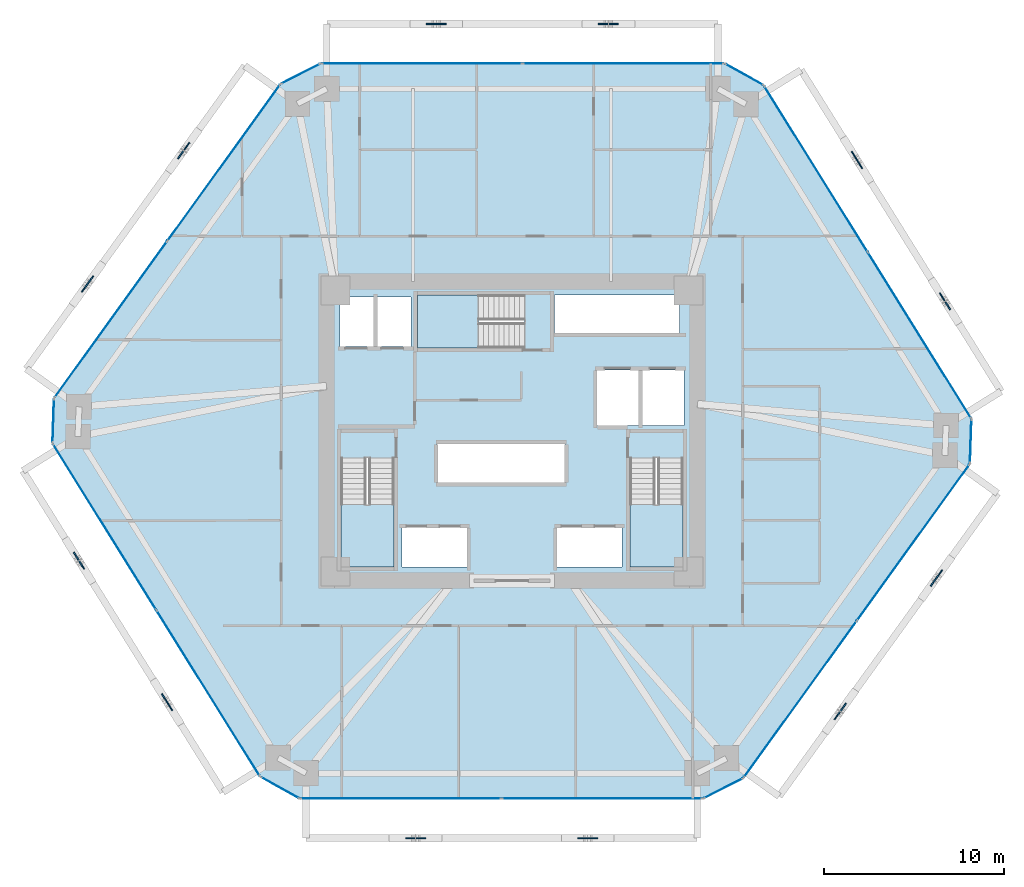
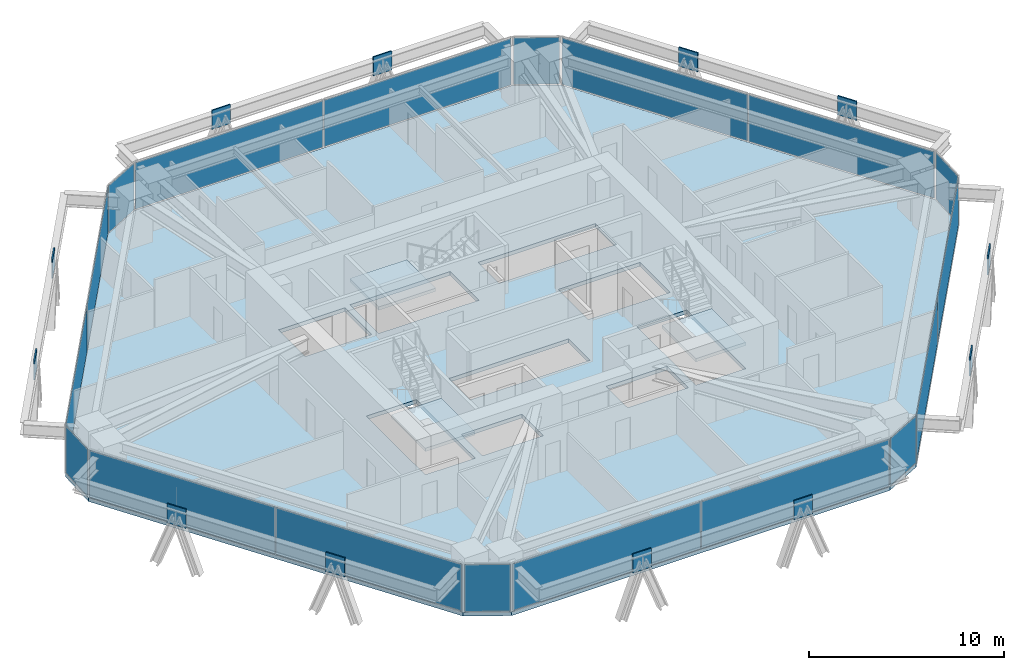
# One storey, part 10 of 17: 30 plates, 4 slabs, 15 elements without a shape of their own.
"""IFC4 building model written with IfcOpenShell, lengths in metres."""

from ifc_helpers import new_model, si_unit, direction, frame, origin, origin_2d, place, context, subcontext, project, spatial, polyline, rectangle, outline, extrude, source, transform, mapped, material, layer, layer_set, type_object, type_shapes, element, aggregate, save


model = new_model("IFC4")

# Units and contexts
model_context = context("Model", 3, precision=1e-05, world=origin(), true_north=direction((0.0, 1.0)))
body_context = subcontext(model_context, "Body", "Model", "MODEL_VIEW")
ifc_project = project(units=[si_unit("LENGTHUNIT", "METRE"), si_unit("AREAUNIT", "SQUARE_METRE"), si_unit("VOLUMEUNIT", "CUBIC_METRE"), si_unit("PLANEANGLEUNIT", "RADIAN"), si_unit("MASSUNIT", "GRAM", prefix="KILO")], contexts=[model_context])

# Site, building, storey
site_placement = place(None, origin())
site = spatial("IfcSite", under=ifc_project, at=site_placement, CompositionType="ELEMENT")
building_placement = place(site_placement, origin())
building = spatial("IfcBuilding", under=site, at=building_placement, Name="Durnholm Broadcast Tower", CompositionType="ELEMENT")
storey_placement = place(building_placement, frame((0.0, 0.0, 45.60009765625)))
storey = spatial("IfcBuildingStorey", under=building, at=storey_placement, Name="L10", CompositionType="ELEMENT", Elevation=45.60009765625)

# Slab
ifc_material_1 = material(Name="Concrete C50/60", Category="concrete")
ifc_layer_1 = layer(ifc_material_1, 0.239990234375)
ifc_layer_set_1 = layer_set([ifc_layer_1], Name="Concrete C50/60")
slab_type_1 = type_object("IfcSlabType", Name="SLAB-FLR-240", PredefinedType="FLOOR", material=ifc_layer_set_1)
slab_1_placement = place(storey_placement, frame((0.0, 0.0, -0.239990234375)))
element("IfcSlab", 1, at=slab_1_placement, inside=storey, type_object=slab_type_1, Name="L10 structural floor slab", PredefinedType="FLOOR", context=body_context, shape_type="SweptSolid", body=[
    extrude(outline(polyline([(-13.9794921875, -19.186279296875), (-11.793701171875, -20.39990234375), (10.6201171875, -20.39990234375), (12.845703125, -19.260986328125), (25.419921875, -1.820556640625), (25.50439453125, 0.677978515625), (13.9794921875, 19.186279296875), (11.793701171875, 20.39990234375), (-10.6201171875, 20.39990234375), (-12.845703125, 19.260986328125), (-25.419921875, 1.820556640625), (-25.50439453125, -0.677978515625), (-13.9794921875, -19.186279296875)]), holes=[polyline([(-2.5, -5.35009765625), (-6.10009765625, -5.35009765625), (-6.10009765625, -7.550048828125), (-2.5, -7.550048828125), (-2.5, -5.35009765625)]), polyline([(6.10009765625, -5.35009765625), (2.5, -5.35009765625), (2.5, -7.550048828125), (6.10009765625, -7.550048828125), (6.10009765625, -5.35009765625)]), polyline([(-6.5400390625, -7.550048828125), (-6.5400390625, -1.5), (-9.5, -1.5), (-9.5, -7.550048828125), (-6.5400390625, -7.550048828125)]), polyline([(9.5, -7.550048828125), (9.5, -1.5), (6.5400390625, -1.5), (6.5400390625, -7.550048828125), (9.5, -7.550048828125)]), polyline([(2.949951171875, -0.699951171875), (-4.14990234375, -0.699951171875), (-4.14990234375, -2.89990234375), (2.949951171875, -2.89990234375), (2.949951171875, -0.699951171875)]), polyline([(9.550048828125, 3.39990234375), (4.699951171875, 3.39990234375), (4.699951171875, 0.300048828125), (9.550048828125, 0.300048828125), (9.550048828125, 3.39990234375)]), polyline([(-5.60009765625, 7.449951171875), (-9.550048828125, 7.449951171875), (-9.550048828125, 4.699951171875), (-5.60009765625, 4.699951171875), (-5.60009765625, 7.449951171875)]), polyline([(-5.25, 7.56005859375), (-5.25, 4.60009765625), (0.699951171875, 4.60009765625), (0.699951171875, 7.56005859375), (-5.25, 7.56005859375)]), polyline([(9.31005859375, 5.39990234375), (9.31005859375, 7.550048828125), (2.35009765625, 7.550048828125), (2.35009765625, 5.39990234375), (9.31005859375, 5.39990234375)])]), origin(), (0.0, 0.0, 1.0), 0.239990234375),
])

# Stair, slab
stair_type = type_object("IfcStairType", Name="STAIR-DL-20R1650", PredefinedType="HALF_TURN_STAIR", material=ifc_material_1)
stair_1_placement = place(storey_placement, origin())
stair_1 = element("IfcStair", 2, at=stair_1_placement, inside=storey, type_object=stair_type, Name="L10 ST-1", PredefinedType="HALF_TURN_STAIR")
ifc_layer_2 = layer(ifc_material_1, 0.199951171875)
ifc_layer_set_2 = layer_set([ifc_layer_2], Name="Concrete C50/60")
slab_type_2 = type_object("IfcSlabType", Name="SLAB-LND-200", PredefinedType="LANDING", material=ifc_layer_set_2)
slab_2_placement = place(storey_placement, frame((0.0, 0.0, 1.449951171875)))
slab_2 = element("IfcSlab", 3, at=slab_2_placement, type_object=slab_type_2, Name="ST-1 landing 1", PredefinedType="LANDING", context=body_context, shape_type="SweptSolid", body=[
    extrude(outline(polyline([(-9.5, -4.06494140625), (-9.5, -7.550048828125), (-6.5400390625, -7.550048828125), (-6.5400390625, -4.06494140625), (-9.5, -4.06494140625)])), origin(), (0.0, 0.0, 1.0), 0.199951171875),
])
aggregate(stair_1, [slab_2])

stair_2_placement = place(storey_placement, origin())
stair_2 = element("IfcStair", 4, at=stair_2_placement, inside=storey, type_object=stair_type, Name="L10 ST-2", PredefinedType="HALF_TURN_STAIR")
slab_3_placement = place(storey_placement, frame((0.0, 0.0, 1.449951171875)))
slab_3 = element("IfcSlab", 5, at=slab_3_placement, type_object=slab_type_2, Name="ST-2 landing 1", PredefinedType="LANDING", context=body_context, shape_type="SweptSolid", body=[
    extrude(outline(polyline([(6.5400390625, -4.06494140625), (6.5400390625, -7.550048828125), (9.5, -7.550048828125), (9.5, -4.06494140625), (6.5400390625, -4.06494140625)])), origin(), (0.0, 0.0, 1.0), 0.199951171875),
])
aggregate(stair_2, [slab_3])

stair_3_placement = place(storey_placement, origin())
stair_3 = element("IfcStair", 6, at=stair_3_placement, inside=storey, type_object=stair_type, Name="L10 ST-3", PredefinedType="HALF_TURN_STAIR")
slab_4_placement = place(storey_placement, frame((0.0, 0.0, 1.449951171875)))
slab_4 = element("IfcSlab", 7, at=slab_4_placement, type_object=slab_type_2, Name="ST-3 landing 1", PredefinedType="LANDING", context=body_context, shape_type="SweptSolid", body=[
    extrude(outline(polyline([(-1.864990234375, 7.56005859375), (-5.25, 7.56005859375), (-5.25, 4.60009765625), (-1.864990234375, 4.60009765625), (-1.864990234375, 7.56005859375)])), origin(), (0.0, 0.0, 1.0), 0.199951171875),
])
aggregate(stair_3, [slab_4])

# Plates
ifc_material_2 = material(Name="Steel ASTM A572 Grade 50", Category="steel")
ifc_layer_3 = layer(ifc_material_2, 0.074951171875)
ifc_layer_set_3 = layer_set([ifc_layer_3], Name="Steel ASTM A572 Grade 50")
plate_type_1 = type_object("IfcPlateType", Name="PLT-KN03-GUS", PredefinedType="USERDEFINED", material=ifc_layer_set_3)
shared_shape_1 = source(origin(), body_context, "Body", "SweptSolid", [
    extrude(rectangle(XDim=1.10009765625, YDim=0.074951171875, at=origin_2d()), origin(), (0.0, 0.0, 1.0), 1.199951171875),
])
type_shapes(plate_type_1, [shared_shape_1])
for number, where, z_axis, x_axis, name in (
    (8, (-5.351318359375, -22.60009765625, 1.70849609375), (0.0, 0.0, 1.0), (1.0, 0.0, 0.0), "L10 welded diagrid node gusset plate KN03 F1"),
    (9, (4.202880859375, -22.60009765625, 1.70849609375), (0.0, 0.0, 1.0), (1.0, 0.0, 0.0), "L10 welded diagrid node gusset plate KN03 F1"),
    (10, (18.223388671875, -15.56396484375, 1.70849609375), (0.0, 0.0, 1.0), (0.584816108738, 0.81116590101, 0.0), "L10 welded diagrid node gusset plate KN03 F2"),
    (11, (23.5595703125, -8.16259765625, 1.70849609375), (0.0, 0.0, 1.0), (0.584816108738, 0.81116590101, 0.0), "L10 welded diagrid node gusset plate KN03 F2"),
    (12, (24.036376953125, 7.197509765625, 1.70849609375), (0.0, 0.0, 1.0), (-0.528586500185, 0.848879444811, 0.0), "L10 welded diagrid node gusset plate KN03 F3"),
    (13, (19.14892578125, 15.04638671875, 1.70849609375), (0.0, 0.0, 1.0), (-0.528586500185, 0.848879444811, 0.0), "L10 welded diagrid node gusset plate KN03 F3"),
    (14, (5.351318359375, 22.60009765625, 1.70849609375), (0.0, 0.0, 1.0), (-1.0, 0.0, 0.0), "L10 welded diagrid node gusset plate KN03 F4"),
    (15, (-4.202880859375, 22.60009765625, 1.70849609375), (0.0, 0.0, 1.0), (-1.0, 0.0, 0.0), "L10 welded diagrid node gusset plate KN03 F4"),
    (16, (-18.223388671875, 15.56396484375, 1.70849609375), (0.0, 0.0, 1.0), (-0.584816108738, -0.81116590101, 0.0), "L10 welded diagrid node gusset plate KN03 F5"),
    (17, (-23.5595703125, 8.16259765625, 1.70849609375), (0.0, 0.0, 1.0), (-0.584816108738, -0.81116590101, 0.0), "L10 welded diagrid node gusset plate KN03 F5"),
    (18, (-24.036376953125, -7.197509765625, 1.70849609375), (0.0, 0.0, 1.0), (0.528586500185, -0.848879444811, 0.0), "L10 welded diagrid node gusset plate KN03 F6"),
    (19, (-19.14892578125, -15.04638671875, 1.70849609375), (0.0, 0.0, 1.0), (0.528586500185, -0.848879444811, 0.0), "L10 welded diagrid node gusset plate KN03 F6"),
):
    element("IfcPlate", number, at=place(storey_placement, frame(where, z_axis=z_axis, x_axis=x_axis)), inside=storey, type_object=plate_type_1, Name=name, ObjectType="GUSSET_PLATE", PredefinedType="USERDEFINED", context=body_context, shape_type="MappedRepresentation", body=[
        mapped(shared_shape_1, transform((0.0, 0.0, 0.0), x_axis=(1.0, 0.0, 0.0), y_axis=(0.0, 1.0, 0.0), z_axis=(0.0, 0.0, 1.0), scale=1.0)),
    ])

# Curtain wall, plate
ifc_material_3 = material(Name="Aluminium and Solar Control IGU", Category="aluminium")
ifc_layer_4 = layer(ifc_material_3, 0.1650390625)
ifc_layer_set_4 = layer_set([ifc_layer_4], Name="Aluminium and Solar Control IGU")
curtain_wall_type_1 = type_object("IfcCurtainWallType", Name="CW-SYS-5", PredefinedType="NOTDEFINED", material=ifc_layer_set_4)
curtain_wall_1_placement = place(storey_placement, origin())
curtain_wall_1 = element("IfcCurtainWall", 20, at=curtain_wall_1_placement, inside=storey, type_object=curtain_wall_type_1, Name="L10 curtain wall CW-CORNER CW-L10-CRN-01", PredefinedType="NOTDEFINED")
ifc_material_4 = material(Name="Low-E Laminated Insulating Glass", Category="glass")
ifc_layer_5 = layer(ifc_material_4, 0.030029296875)
ifc_layer_set_5 = layer_set([ifc_layer_5], Name="Low-E Laminated Insulating Glass")
plate_type_2 = type_object("IfcPlateType", Name="CW-SYS-5-PNL", PredefinedType="CURTAIN_PANEL", material=ifc_layer_set_5)
shared_shape_2 = source(origin(), body_context, "Body", "SweptSolid", [
    extrude(rectangle(XDim=2.3701171875, YDim=0.030029296875, at=origin_2d()), origin(), (0.0, 0.0, 1.0), 2.929931640625),
])
plate_1_placement = place(storey_placement, frame((-25.462158203125, 0.5712890625, 0.06494140625), z_axis=(0.0, 0.0, 1.0), x_axis=(0.033839569233, 0.999427277772, 0.0)))
plate_1 = element("IfcPlate", 21, at=plate_1_placement, type_object=plate_type_2, Name="CW-CORNER panel 1.1", PredefinedType="CURTAIN_PANEL", context=body_context, shape_type="MappedRepresentation", body=[
    mapped(shared_shape_2, transform((0.0, 0.0, 0.0), x_axis=(1.0, 0.0, 0.0), y_axis=(0.0, 1.0, 0.0), z_axis=(0.0, 0.0, 1.0), scale=1.0)),
])
aggregate(curtain_wall_1, [plate_1])

curtain_wall_2_placement = place(storey_placement, origin())
curtain_wall_2 = element("IfcCurtainWall", 22, at=curtain_wall_2_placement, inside=storey, type_object=curtain_wall_type_1, Name="L10 curtain wall CW-CORNER CW-L10-CRN-03", PredefinedType="NOTDEFINED")
plate_2_placement = place(storey_placement, frame((-11.73291015625, 19.83056640625, 0.06494140625), z_axis=(0.0, 0.0, 1.0), x_axis=(0.890187804512, 0.455593758406, 0.0)))
plate_2 = element("IfcPlate", 23, at=plate_2_placement, type_object=plate_type_2, Name="CW-CORNER panel 1.1", PredefinedType="CURTAIN_PANEL", context=body_context, shape_type="MappedRepresentation", body=[
    mapped(shared_shape_2, transform((0.0, 0.0, 0.0), x_axis=(1.0, 0.0, 0.0), y_axis=(0.0, 1.0, 0.0), z_axis=(0.0, 0.0, 1.0), scale=1.0)),
])
aggregate(curtain_wall_2, [plate_2])

curtain_wall_3_placement = place(storey_placement, origin())
curtain_wall_3 = element("IfcCurtainWall", 24, at=curtain_wall_3_placement, inside=storey, type_object=curtain_wall_type_1, Name="L10 curtain wall CW-CORNER CW-L10-CRN-07", PredefinedType="NOTDEFINED")
plate_3_placement = place(storey_placement, frame((25.462158203125, -0.5712890625, 0.06494140625), z_axis=(0.0, 0.0, 1.0), x_axis=(-0.033839569233, -0.999427277772, 0.0)))
plate_3 = element("IfcPlate", 25, at=plate_3_placement, type_object=plate_type_2, Name="CW-CORNER panel 1.1", PredefinedType="CURTAIN_PANEL", context=body_context, shape_type="MappedRepresentation", body=[
    mapped(shared_shape_2, transform((0.0, 0.0, 0.0), x_axis=(1.0, 0.0, 0.0), y_axis=(0.0, 1.0, 0.0), z_axis=(0.0, 0.0, 1.0), scale=1.0)),
])
aggregate(curtain_wall_3, [plate_3])

curtain_wall_4_placement = place(storey_placement, origin())
curtain_wall_4 = element("IfcCurtainWall", 26, at=curtain_wall_4_placement, inside=storey, type_object=curtain_wall_type_1, Name="L10 curtain wall CW-CORNER CW-L10-CRN-09", PredefinedType="NOTDEFINED")
plate_4_placement = place(storey_placement, frame((11.73291015625, -19.83056640625, 0.06494140625), z_axis=(0.0, 0.0, 1.0), x_axis=(-0.890187804512, -0.455593758406, 0.0)))
plate_4 = element("IfcPlate", 27, at=plate_4_placement, type_object=plate_type_2, Name="CW-CORNER panel 1.1", PredefinedType="CURTAIN_PANEL", context=body_context, shape_type="MappedRepresentation", body=[
    mapped(shared_shape_2, transform((0.0, 0.0, 0.0), x_axis=(1.0, 0.0, 0.0), y_axis=(0.0, 1.0, 0.0), z_axis=(0.0, 0.0, 1.0), scale=1.0)),
])
aggregate(curtain_wall_4, [plate_4])

# Curtain wall, plates
ifc_layer_6 = layer(ifc_material_3, 0.18994140625)
ifc_layer_set_6 = layer_set([ifc_layer_6], Name="Aluminium and Solar Control IGU")
curtain_wall_type_2 = type_object("IfcCurtainWallType", Name="CW-SYS-3", PredefinedType="NOTDEFINED", material=ifc_layer_set_6)
curtain_wall_5_placement = place(storey_placement, origin())
curtain_wall_5 = element("IfcCurtainWall", 28, at=curtain_wall_5_placement, inside=storey, type_object=curtain_wall_type_2, Name="L10 curtain wall CW-Z12-VIS CW-L10-F02", PredefinedType="NOTDEFINED")
ifc_layer_7 = layer(ifc_material_4, 0.031982421875)
ifc_layer_set_7 = layer_set([ifc_layer_7], Name="Low-E Laminated Insulating Glass")
plate_type_3 = type_object("IfcPlateType", Name="CW-SYS-3-PNL", PredefinedType="CURTAIN_PANEL", material=ifc_layer_set_7)
shared_shape_3 = source(origin(), body_context, "Body", "SweptSolid", [
    extrude(rectangle(XDim=10.645263671875, YDim=0.031982421875, at=origin_2d()), origin(), (0.0, 0.0, 1.0), 2.919921875),
])
plate_5_placement = place(storey_placement, frame((-22.26611328125, 6.19482421875, 0.06982421875), z_axis=(0.0, 0.0, 1.0), x_axis=(0.584823496176, 0.81116057493, 0.0)))
plate_5 = element("IfcPlate", 29, at=plate_5_placement, type_object=plate_type_3, Name="CW-Z12-VIS panel 1.1", PredefinedType="CURTAIN_PANEL", context=body_context, shape_type="MappedRepresentation", body=[
    mapped(shared_shape_3, transform((0.0, 0.0, 0.0), x_axis=(1.0, 0.0, 0.0), y_axis=(0.0, 1.0, 0.0), z_axis=(0.0, 0.0, 1.0), scale=1.0)),
])
plate_6_placement = place(storey_placement, frame((-15.99951171875, 14.88671875, 0.06982421875), z_axis=(0.0, 0.0, 1.0), x_axis=(0.584823496176, 0.81116057493, 0.0)))
plate_6 = element("IfcPlate", 30, at=plate_6_placement, type_object=plate_type_3, Name="CW-Z12-VIS panel 2.1", PredefinedType="CURTAIN_PANEL", context=body_context, shape_type="MappedRepresentation", body=[
    mapped(shared_shape_3, transform((0.0, 0.0, 0.0), x_axis=(1.0, 0.0, 0.0), y_axis=(0.0, 1.0, 0.0), z_axis=(0.0, 0.0, 1.0), scale=1.0)),
])
aggregate(curtain_wall_5, [plate_5, plate_6])

curtain_wall_6_placement = place(storey_placement, origin())
curtain_wall_6 = element("IfcCurtainWall", 31, at=curtain_wall_6_placement, inside=storey, type_object=curtain_wall_type_2, Name="L10 curtain wall CW-Z12-VIS CW-L10-F08", PredefinedType="NOTDEFINED")
plate_7_placement = place(storey_placement, frame((22.26611328125, -6.19482421875, 0.06982421875), z_axis=(0.0, 0.0, 1.0), x_axis=(-0.584823496176, -0.81116057493, 0.0)))
plate_7 = element("IfcPlate", 32, at=plate_7_placement, type_object=plate_type_3, Name="CW-Z12-VIS panel 1.1", PredefinedType="CURTAIN_PANEL", context=body_context, shape_type="MappedRepresentation", body=[
    mapped(shared_shape_3, transform((0.0, 0.0, 0.0), x_axis=(1.0, 0.0, 0.0), y_axis=(0.0, 1.0, 0.0), z_axis=(0.0, 0.0, 1.0), scale=1.0)),
])
plate_8_placement = place(storey_placement, frame((15.99951171875, -14.88671875, 0.06982421875), z_axis=(0.0, 0.0, 1.0), x_axis=(-0.584823496176, -0.81116057493, 0.0)))
plate_8 = element("IfcPlate", 33, at=plate_8_placement, type_object=plate_type_3, Name="CW-Z12-VIS panel 2.1", PredefinedType="CURTAIN_PANEL", context=body_context, shape_type="MappedRepresentation", body=[
    mapped(shared_shape_3, transform((0.0, 0.0, 0.0), x_axis=(1.0, 0.0, 0.0), y_axis=(0.0, 1.0, 0.0), z_axis=(0.0, 0.0, 1.0), scale=1.0)),
])
aggregate(curtain_wall_6, [plate_7, plate_8])

# Curtain wall, plate
curtain_wall_7_placement = place(storey_placement, origin())
curtain_wall_7 = element("IfcCurtainWall", 34, at=curtain_wall_7_placement, inside=storey, type_object=curtain_wall_type_1, Name="L10 curtain wall CW-CORNER CW-L10-CRN-05", PredefinedType="NOTDEFINED")
shared_shape_4 = source(origin(), body_context, "Body", "SweptSolid", [
    extrude(rectangle(XDim=2.369873046875, YDim=0.030029296875, at=origin_2d()), origin(), (0.0, 0.0, 1.0), 2.929931640625),
])
type_shapes(plate_type_2, [shared_shape_2, shared_shape_4])
plate_9_placement = place(storey_placement, frame((12.88671875, 19.793212890625, 0.06494140625), z_axis=(0.0, 0.0, 1.0), x_axis=(0.874245941394, -0.485483299359, 0.0)))
plate_9 = element("IfcPlate", 35, at=plate_9_placement, type_object=plate_type_2, Name="CW-CORNER panel 1.1", PredefinedType="CURTAIN_PANEL", context=body_context, shape_type="MappedRepresentation", body=[
    mapped(shared_shape_4, transform((0.0, 0.0, 0.0), x_axis=(1.0, 0.0, 0.0), y_axis=(0.0, 1.0, 0.0), z_axis=(0.0, 0.0, 1.0), scale=1.0)),
])
aggregate(curtain_wall_7, [plate_9])

curtain_wall_8_placement = place(storey_placement, origin())
curtain_wall_8 = element("IfcCurtainWall", 36, at=curtain_wall_8_placement, inside=storey, type_object=curtain_wall_type_1, Name="L10 curtain wall CW-CORNER CW-L10-CRN-11", PredefinedType="NOTDEFINED")
plate_10_placement = place(storey_placement, frame((-12.88671875, -19.793212890625, 0.06494140625), z_axis=(0.0, 0.0, 1.0), x_axis=(-0.874245941394, 0.485483299359, 0.0)))
plate_10 = element("IfcPlate", 37, at=plate_10_placement, type_object=plate_type_2, Name="CW-CORNER panel 1.1", PredefinedType="CURTAIN_PANEL", context=body_context, shape_type="MappedRepresentation", body=[
    mapped(shared_shape_4, transform((0.0, 0.0, 0.0), x_axis=(1.0, 0.0, 0.0), y_axis=(0.0, 1.0, 0.0), z_axis=(0.0, 0.0, 1.0), scale=1.0)),
])
aggregate(curtain_wall_8, [plate_10])

# Curtain wall, plates
curtain_wall_9_placement = place(storey_placement, origin())
curtain_wall_9 = element("IfcCurtainWall", 38, at=curtain_wall_9_placement, inside=storey, type_object=curtain_wall_type_2, Name="L10 curtain wall CW-Z12-VIS CW-L10-F06", PredefinedType="NOTDEFINED")
shared_shape_5 = source(origin(), body_context, "Body", "SweptSolid", [
    extrude(rectangle(XDim=10.796630859375, YDim=0.031982421875, at=origin_2d()), origin(), (0.0, 0.0, 1.0), 2.919921875),
])
plate_11_placement = place(storey_placement, frame((16.869873046875, 14.54443359375, 0.06982421875), z_axis=(0.0, 0.0, 1.0), x_axis=(0.528592376777, -0.848875785503, 0.0)))
plate_11 = element("IfcPlate", 39, at=plate_11_placement, type_object=plate_type_3, Name="CW-Z12-VIS panel 1.1", PredefinedType="CURTAIN_PANEL", context=body_context, shape_type="MappedRepresentation", body=[
    mapped(shared_shape_5, transform((0.0, 0.0, 0.0), x_axis=(1.0, 0.0, 0.0), y_axis=(0.0, 1.0, 0.0), z_axis=(0.0, 0.0, 1.0), scale=1.0)),
])
plate_12_placement = place(storey_placement, frame((22.614013671875, 5.320068359375, 0.06982421875), z_axis=(0.0, 0.0, 1.0), x_axis=(0.528592376777, -0.848875785503, 0.0)))
plate_12 = element("IfcPlate", 40, at=plate_12_placement, type_object=plate_type_3, Name="CW-Z12-VIS panel 2.1", PredefinedType="CURTAIN_PANEL", context=body_context, shape_type="MappedRepresentation", body=[
    mapped(shared_shape_5, transform((0.0, 0.0, 0.0), x_axis=(1.0, 0.0, 0.0), y_axis=(0.0, 1.0, 0.0), z_axis=(0.0, 0.0, 1.0), scale=1.0)),
])
aggregate(curtain_wall_9, [plate_11, plate_12])

curtain_wall_10_placement = place(storey_placement, origin())
curtain_wall_10 = element("IfcCurtainWall", 41, at=curtain_wall_10_placement, inside=storey, type_object=curtain_wall_type_2, Name="L10 curtain wall CW-Z12-VIS CW-L10-F12", PredefinedType="NOTDEFINED")
plate_13_placement = place(storey_placement, frame((-16.869873046875, -14.54443359375, 0.06982421875), z_axis=(0.0, 0.0, 1.0), x_axis=(-0.528592376777, 0.848875785503, 0.0)))
plate_13 = element("IfcPlate", 42, at=plate_13_placement, type_object=plate_type_3, Name="CW-Z12-VIS panel 1.1", PredefinedType="CURTAIN_PANEL", context=body_context, shape_type="MappedRepresentation", body=[
    mapped(shared_shape_5, transform((0.0, 0.0, 0.0), x_axis=(1.0, 0.0, 0.0), y_axis=(0.0, 1.0, 0.0), z_axis=(0.0, 0.0, 1.0), scale=1.0)),
])
plate_14_placement = place(storey_placement, frame((-22.614013671875, -5.320068359375, 0.06982421875), z_axis=(0.0, 0.0, 1.0), x_axis=(-0.528592376777, 0.848875785503, 0.0)))
plate_14 = element("IfcPlate", 43, at=plate_14_placement, type_object=plate_type_3, Name="CW-Z12-VIS panel 2.1", PredefinedType="CURTAIN_PANEL", context=body_context, shape_type="MappedRepresentation", body=[
    mapped(shared_shape_5, transform((0.0, 0.0, 0.0), x_axis=(1.0, 0.0, 0.0), y_axis=(0.0, 1.0, 0.0), z_axis=(0.0, 0.0, 1.0), scale=1.0)),
])
aggregate(curtain_wall_10, [plate_13, plate_14])

curtain_wall_11_placement = place(storey_placement, origin())
curtain_wall_11 = element("IfcCurtainWall", 44, at=curtain_wall_11_placement, inside=storey, type_object=curtain_wall_type_2, Name="L10 curtain wall CW-Z12-VIS CW-L10-F04", PredefinedType="NOTDEFINED")
shared_shape_6 = source(origin(), body_context, "Body", "SweptSolid", [
    extrude(rectangle(XDim=11.10205078125, YDim=0.031982421875, at=origin_2d()), origin(), (0.0, 0.0, 1.0), 2.919921875),
])
type_shapes(plate_type_3, [shared_shape_3, shared_shape_5, shared_shape_6])
plate_15_placement = place(storey_placement, frame((-4.999267578125, 20.39990234375, 0.06982421875), z_axis=(0.0, 0.0, 1.0), x_axis=(1.0, 0.0, 0.0)))
plate_15 = element("IfcPlate", 45, at=plate_15_placement, type_object=plate_type_3, Name="CW-Z12-VIS panel 1.1", PredefinedType="CURTAIN_PANEL", context=body_context, shape_type="MappedRepresentation", body=[
    mapped(shared_shape_6, transform((0.0, 0.0, 0.0), x_axis=(1.0, 0.0, 0.0), y_axis=(0.0, 1.0, 0.0), z_axis=(0.0, 0.0, 1.0), scale=1.0)),
])
plate_16_placement = place(storey_placement, frame((6.1728515625, 20.39990234375, 0.06982421875), z_axis=(0.0, 0.0, 1.0), x_axis=(1.0, 0.0, 0.0)))
plate_16 = element("IfcPlate", 46, at=plate_16_placement, type_object=plate_type_3, Name="CW-Z12-VIS panel 2.1", PredefinedType="CURTAIN_PANEL", context=body_context, shape_type="MappedRepresentation", body=[
    mapped(shared_shape_6, transform((0.0, 0.0, 0.0), x_axis=(1.0, 0.0, 0.0), y_axis=(0.0, 1.0, 0.0), z_axis=(0.0, 0.0, 1.0), scale=1.0)),
])
aggregate(curtain_wall_11, [plate_15, plate_16])

curtain_wall_12_placement = place(storey_placement, origin())
curtain_wall_12 = element("IfcCurtainWall", 47, at=curtain_wall_12_placement, inside=storey, type_object=curtain_wall_type_2, Name="L10 curtain wall CW-Z12-VIS CW-L10-F10", PredefinedType="NOTDEFINED")
plate_17_placement = place(storey_placement, frame((4.999267578125, -20.39990234375, 0.06982421875), z_axis=(0.0, 0.0, 1.0), x_axis=(-1.0, 0.0, 0.0)))
plate_17 = element("IfcPlate", 48, at=plate_17_placement, type_object=plate_type_3, Name="CW-Z12-VIS panel 1.1", PredefinedType="CURTAIN_PANEL", context=body_context, shape_type="MappedRepresentation", body=[
    mapped(shared_shape_6, transform((0.0, 0.0, 0.0), x_axis=(1.0, 0.0, 0.0), y_axis=(0.0, 1.0, 0.0), z_axis=(0.0, 0.0, 1.0), scale=1.0)),
])
plate_18_placement = place(storey_placement, frame((-6.1728515625, -20.39990234375, 0.06982421875), z_axis=(0.0, 0.0, 1.0), x_axis=(-1.0, 0.0, 0.0)))
plate_18 = element("IfcPlate", 49, at=plate_18_placement, type_object=plate_type_3, Name="CW-Z12-VIS panel 2.1", PredefinedType="CURTAIN_PANEL", context=body_context, shape_type="MappedRepresentation", body=[
    mapped(shared_shape_6, transform((0.0, 0.0, 0.0), x_axis=(1.0, 0.0, 0.0), y_axis=(0.0, 1.0, 0.0), z_axis=(0.0, 0.0, 1.0), scale=1.0)),
])
aggregate(curtain_wall_12, [plate_17, plate_18])

save(model, "model.ifc")
